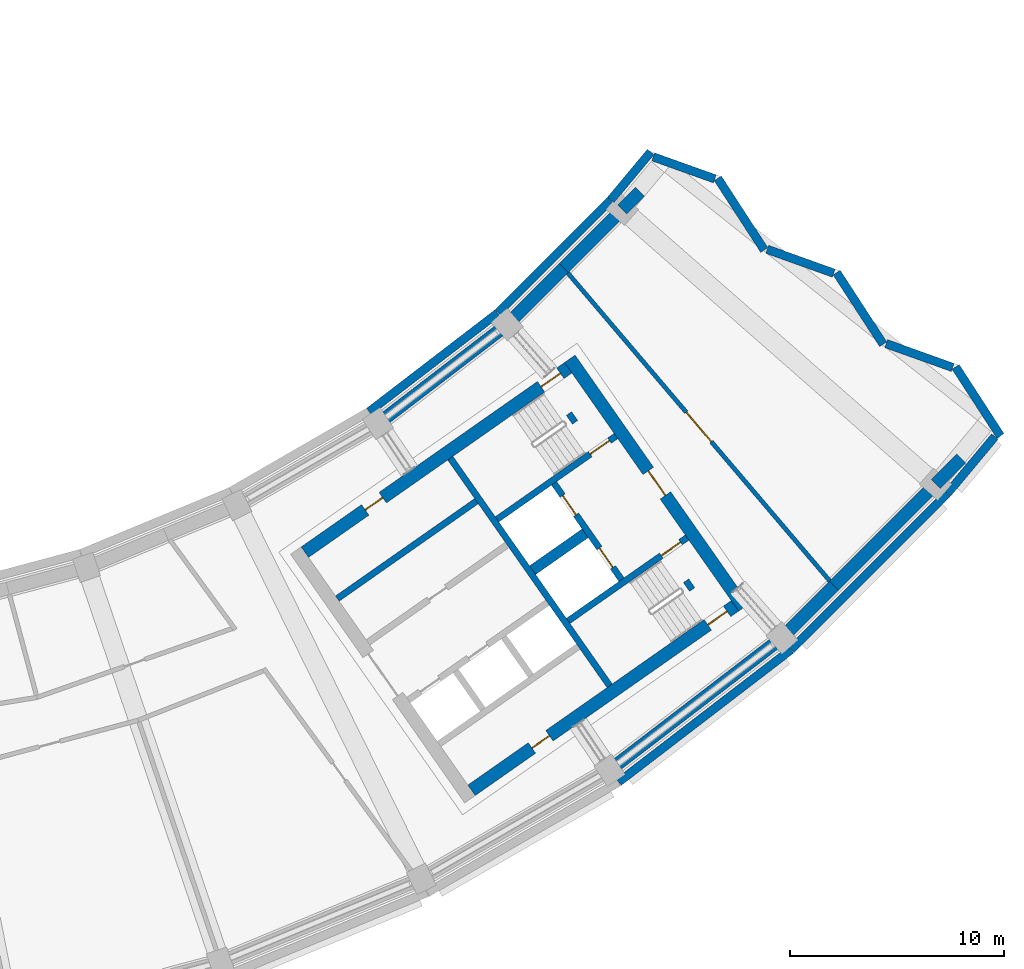
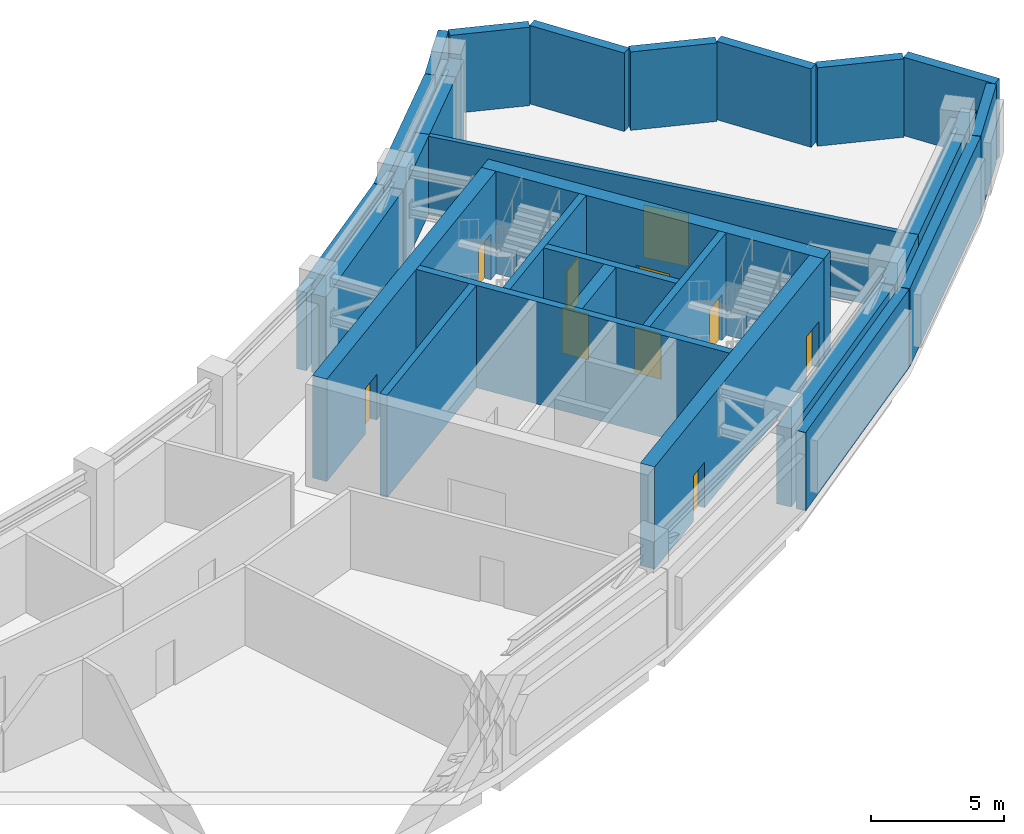
# One storey, part 8 of 24: 32 walls, 10 doors, 10 openings.
"""IFC4 building model written with IfcOpenShell, lengths in metres."""

from ifc_helpers import new_model, si_unit, direction, frame, frame_2d, origin, place, context, subcontext, project, spatial, rectangle, extrude, material, layer, layer_set, type_object, element, fill, save


model = new_model("IFC4")

# Units and contexts
model_context = context("Model", 3, precision=1e-05, world=origin(), true_north=direction((0.0, 1.0)))
body_context = subcontext(model_context, "Body", "Model", "MODEL_VIEW")
ifc_project = project(units=[si_unit("LENGTHUNIT", "METRE"), si_unit("AREAUNIT", "SQUARE_METRE"), si_unit("VOLUMEUNIT", "CUBIC_METRE"), si_unit("PLANEANGLEUNIT", "RADIAN"), si_unit("MASSUNIT", "GRAM", prefix="KILO")], contexts=[model_context])

# Site, building, storey
site_placement = place(None, origin())
site = spatial("IfcSite", under=ifc_project, at=site_placement, CompositionType="ELEMENT")
building_placement = place(site_placement, origin())
building = spatial("IfcBuilding", under=site, at=building_placement, Name="Qamariyya Broadcast Tower", CompositionType="ELEMENT")
storey_placement = place(building_placement, frame((0.0, 0.0, 253.10009765625)))
storey = spatial("IfcBuildingStorey", under=building, at=storey_placement, Name="L61", CompositionType="ELEMENT", Elevation=253.10009765625)

# Wall, opening, door
ifc_material_1 = material(Name="Concrete C60/75", Category="concrete")
ifc_layer_1 = layer(ifc_material_1, 0.60009765625)
ifc_layer_set_1 = layer_set([ifc_layer_1], Name="Core wall 600 mm Concrete C60/75")
wall_type_1 = type_object("IfcWallType", Name="Core wall 600 mm Concrete C60/75", PredefinedType="SHEAR", material=ifc_layer_set_1)
wall_1_placement = place(storey_placement, frame((49.4833984375, -57.031494140625, 0.0), z_axis=(0.0, 0.0, 1.0), x_axis=(-0.573560421458, 0.819163257805, 0.0)))
wall_1 = element("IfcWall", 1, at=wall_1_placement, inside=storey, type_object=wall_type_1, Name="k-E-L61-WH", PredefinedType="SHEAR", context=body_context, shape_type="SweptSolid", body=[
    extrude(rectangle(XDim=14.199951171875, YDim=0.60009765625, at=frame_2d((7.10009765625, 0.0))), origin(), (0.0, 0.0, 1.0), 4.699951171875),
])
opening_1_placement = place(wall_1_placement, frame((6.39990234375, 0.0, 0.0)))
opening_1 = element("IfcOpeningElement", 2, at=opening_1_placement, cuts=wall_1, Name="Opening KD2-E1", PredefinedType="OPENING", context=body_context, shape_type="SweptSolid", body=[
    extrude(rectangle(XDim=1.39990234375, YDim=2.10009765625, at=frame_2d((0.699951171875, 1.050048828125))), frame((0.0, 0.31005859375, 0.0), z_axis=(0.0, -1.0, 0.0), x_axis=(1.0, 0.0, 0.0)), (0.0, 0.0, 1.0), 0.6201171875),
])
ifc_material_2 = material(Name="Steel fire-resisting door leaf", Category="steel")
door_type_1 = type_object("IfcDoorType", Name="Fire-fighting lobby door KD2", OperationType="DOUBLE_DOOR_SINGLE_SWING", PredefinedType="DOOR", material=ifc_material_2)
door_1_placement = place(opening_1_placement, origin())
door_1 = element("IfcDoor", 3, at=door_1_placement, inside=storey, type_object=door_type_1, Name="k-E-L61-WH-D9", OperationType="DOUBLE_DOOR_SINGLE_SWING", OverallHeight=2.10009765625, OverallWidth=1.39990234375, PredefinedType="DOOR", context=body_context, shape_type="SweptSolid", body=[
    extrude(rectangle(XDim=1.39990234375, YDim=2.10009765625, at=frame_2d((0.699951171875, 1.050048828125))), frame((0.0, 0.02490234375, 0.0), z_axis=(0.0, -1.0, 0.0), x_axis=(1.0, 0.0, 0.0)), (0.0, 0.0, 1.0), 0.050048828125),
])
fill(opening_1, door_1)

# Wall, openings, doors
wall_2_placement = place(storey_placement, frame((28.940673828125, -54.447021484375, 0.0), z_axis=(0.0, 0.0, 1.0), x_axis=(0.819153391756, 0.573574511963, 0.0)))
wall_2 = element("IfcWall", 4, at=wall_2_placement, inside=storey, type_object=wall_type_1, Name="k-E-L61-WI", PredefinedType="SHEAR", context=body_context, shape_type="SweptSolid", body=[
    extrude(rectangle(XDim=15.04541015625, YDim=0.60009765625, at=frame_2d((7.522705078125, 0.0))), origin(), (0.0, 0.0, 1.0), 4.699951171875),
])
opening_2_placement = place(wall_2_placement, frame((3.449951171875, 0.0, 0.0)))
opening_2 = element("IfcOpeningElement", 5, at=opening_2_placement, cuts=wall_2, Name="Opening KD4-E2", PredefinedType="OPENING", context=body_context, shape_type="SweptSolid", body=[
    extrude(rectangle(XDim=1.0, YDim=2.10009765625, at=frame_2d((0.5, 1.050048828125))), frame((0.0, 0.31005859375, 0.0), z_axis=(0.0, -1.0, 0.0), x_axis=(1.0, 0.0, 0.0)), (0.0, 0.0, 1.0), 0.6201171875),
])
opening_3_placement = place(wall_2_placement, frame((13.495361328125, 0.0, 0.0)))
opening_3 = element("IfcOpeningElement", 6, at=opening_3_placement, cuts=wall_2, Name="Opening KD1-E1", PredefinedType="OPENING", context=body_context, shape_type="SweptSolid", body=[
    extrude(rectangle(XDim=1.10009765625, YDim=2.10009765625, at=frame_2d((0.550048828125, 1.050048828125))), frame((0.0, 0.31005859375, 0.0), z_axis=(0.0, -1.0, 0.0), x_axis=(1.0, 0.0, 0.0)), (0.0, 0.0, 1.0), 0.6201171875),
])
door_type_2 = type_object("IfcDoorType", Name="Riser and plant door KD4", OperationType="SINGLE_SWING_LEFT", PredefinedType="DOOR", material=ifc_material_2)
door_2_placement = place(opening_2_placement, origin())
door_2 = element("IfcDoor", 7, at=door_2_placement, inside=storey, type_object=door_type_2, Name="k-E-L61-WI-D5", OperationType="SINGLE_SWING_LEFT", OverallHeight=2.10009765625, OverallWidth=1.0, PredefinedType="DOOR", context=body_context, shape_type="SweptSolid", body=[
    extrude(rectangle(XDim=1.0, YDim=2.10009765625, at=frame_2d((0.5, 1.050048828125))), frame((0.0, 0.02490234375, 0.0), z_axis=(0.0, -1.0, 0.0), x_axis=(1.0, 0.0, 0.0)), (0.0, 0.0, 1.0), 0.050048828125),
])
fill(opening_2, door_2)
door_type_3 = type_object("IfcDoorType", Name="Stair door KD1", OperationType="SINGLE_SWING_LEFT", PredefinedType="DOOR", material=ifc_material_2)
door_3_placement = place(opening_3_placement, origin())
door_3 = element("IfcDoor", 8, at=door_3_placement, inside=storey, type_object=door_type_3, Name="k-E-L61-WI-D10", OperationType="SINGLE_SWING_RIGHT", OverallHeight=2.10009765625, OverallWidth=1.10009765625, PredefinedType="DOOR", context=body_context, shape_type="SweptSolid", body=[
    extrude(rectangle(XDim=1.10009765625, YDim=2.10009765625, at=frame_2d((0.550048828125, 1.050048828125))), frame((0.0, 0.02490234375, 0.0), z_axis=(0.0, -1.0, 0.0), x_axis=(1.0, 0.0, 0.0)), (0.0, 0.0, 1.0), 0.050048828125),
])
fill(opening_3, door_3)

wall_3_placement = place(storey_placement, frame((36.7412109375, -65.58740234375, 0.0), z_axis=(0.0, 0.0, 1.0), x_axis=(0.819153391756, 0.573574511963, 0.0)))
wall_3 = element("IfcWall", 9, at=wall_3_placement, inside=storey, type_object=wall_type_1, Name="k-E-L61-WO", PredefinedType="SHEAR", context=body_context, shape_type="SweptSolid", body=[
    extrude(rectangle(XDim=15.04541015625, YDim=0.60009765625, at=frame_2d((7.522705078125, 0.0))), origin(), (0.0, 0.0, 1.0), 4.699951171875),
])
opening_4_placement = place(wall_3_placement, frame((3.449951171875, 0.0, 0.0)))
opening_4 = element("IfcOpeningElement", 10, at=opening_4_placement, cuts=wall_3, Name="Opening KD4-E3", PredefinedType="OPENING", context=body_context, shape_type="SweptSolid", body=[
    extrude(rectangle(XDim=1.0, YDim=2.10009765625, at=frame_2d((0.5, 1.050048828125))), frame((0.0, 0.31005859375, 0.0), z_axis=(0.0, -1.0, 0.0), x_axis=(1.0, 0.0, 0.0)), (0.0, 0.0, 1.0), 0.6201171875),
])
opening_5_placement = place(wall_3_placement, frame((13.495361328125, 0.0, 0.0)))
opening_5 = element("IfcOpeningElement", 11, at=opening_5_placement, cuts=wall_3, Name="Opening KD1-E3", PredefinedType="OPENING", context=body_context, shape_type="SweptSolid", body=[
    extrude(rectangle(XDim=1.10009765625, YDim=2.10009765625, at=frame_2d((0.550048828125, 1.050048828125))), frame((0.0, 0.31005859375, 0.0), z_axis=(0.0, -1.0, 0.0), x_axis=(1.0, 0.0, 0.0)), (0.0, 0.0, 1.0), 0.6201171875),
])
door_4_placement = place(opening_4_placement, origin())
door_4 = element("IfcDoor", 12, at=door_4_placement, inside=storey, type_object=door_type_2, Name="k-E-L61-WO-D6", OperationType="SINGLE_SWING_RIGHT", OverallHeight=2.10009765625, OverallWidth=1.0, PredefinedType="DOOR", context=body_context, shape_type="SweptSolid", body=[
    extrude(rectangle(XDim=1.0, YDim=2.10009765625, at=frame_2d((0.5, 1.050048828125))), frame((0.0, 0.02490234375, 0.0), z_axis=(0.0, -1.0, 0.0), x_axis=(1.0, 0.0, 0.0)), (0.0, 0.0, 1.0), 0.050048828125),
])
fill(opening_4, door_4)
door_5_placement = place(opening_5_placement, origin())
door_5 = element("IfcDoor", 13, at=door_5_placement, inside=storey, type_object=door_type_3, Name="k-E-L61-WO-D12", OperationType="SINGLE_SWING_LEFT", OverallHeight=2.10009765625, OverallWidth=1.10009765625, PredefinedType="DOOR", context=body_context, shape_type="SweptSolid", body=[
    extrude(rectangle(XDim=1.10009765625, YDim=2.10009765625, at=frame_2d((0.550048828125, 1.050048828125))), frame((0.0, 0.02490234375, 0.0), z_axis=(0.0, -1.0, 0.0), x_axis=(1.0, 0.0, 0.0)), (0.0, 0.0, 1.0), 0.050048828125),
])
fill(opening_5, door_5)

# Walls
ifc_layer_2 = layer(ifc_material_1, 0.5)
ifc_layer_set_2 = layer_set([ifc_layer_2], Name="Fire-fighting lobby divider wall 500 mm Concrete C60/75")
wall_type_2 = type_object("IfcWallType", Name="Fire-fighting lobby divider wall 500 mm Concrete C60/75", PredefinedType="SOLIDWALL", material=ifc_layer_set_2)
wall_4_placement = place(storey_placement, frame((39.59912109375, -55.28515625, 0.0), z_axis=(0.0, 0.0, 1.0), x_axis=(0.819136323161, 0.573598887793, 0.0)))
element("IfcWall", 14, at=wall_4_placement, inside=storey, type_object=wall_type_2, Name="k-E-L61-FD", PredefinedType="SOLIDWALL", context=body_context, shape_type="SweptSolid", body=[
    extrude(rectangle(XDim=2.999755859375, YDim=0.5, at=frame_2d((1.5, 0.0))), origin(), (0.0, 0.0, 1.0), 4.699951171875),
])
ifc_layer_3 = layer(ifc_material_1, 0.300048828125)
ifc_layer_set_3 = layer_set([ifc_layer_3], Name="Lift shaft wall 300 mm Concrete C60/75")
wall_type_3 = type_object("IfcWallType", Name="Lift shaft wall 300 mm Concrete C60/75", PredefinedType="SOLIDWALL", material=ifc_layer_set_3)
wall_5_placement = place(storey_placement, frame((43.204345703125, -60.69580078125, 0.0), z_axis=(0.0, 0.0, 1.0), x_axis=(-0.573571992966, 0.819155155563, 0.0)))
element("IfcWall", 15, at=wall_5_placement, inside=storey, type_object=wall_type_3, Name="k-E-L61-WL", PredefinedType="SOLIDWALL", context=body_context, shape_type="SweptSolid", body=[
    extrude(rectangle(XDim=13.000244140625, YDim=0.300048828125, at=frame_2d((6.5, 0.0))), origin(), (0.0, 0.0, 1.0), 4.699951171875),
])
wall_6_placement = place(storey_placement, frame((30.460693359375, -56.61767578125, 0.0), z_axis=(0.0, 0.0, 1.0), x_axis=(0.819142461705, 0.573590121456, 0.0)))
element("IfcWall", 16, at=wall_6_placement, inside=storey, type_object=wall_type_3, Name="k-E-L61-NB0", PredefinedType="SOLIDWALL", context=body_context, shape_type="SweptSolid", body=[
    extrude(rectangle(XDim=7.949951171875, YDim=0.300048828125, at=frame_2d((3.97509765625, 0.0))), origin(), (0.0, 0.0, 1.0), 4.699951171875),
])

# Wall, opening, door
wall_7_placement = place(storey_placement, frame((37.935546875, -52.90966796875, 0.0), z_axis=(0.0, 0.0, 1.0), x_axis=(0.819147518138, 0.57358290031, 0.0)))
wall_7 = element("IfcWall", 17, at=wall_7_placement, inside=storey, type_object=wall_type_3, Name="k-E-L61-NW", PredefinedType="SOLIDWALL", context=body_context, shape_type="SweptSolid", body=[
    extrude(rectangle(XDim=6.79541015625, YDim=0.300048828125, at=frame_2d((3.397705078125, 0.0))), origin(), (0.0, 0.0, 1.0), 4.699951171875),
])
opening_6_placement = place(wall_7_placement, frame((5.3203125, 0.0, 0.0)))
opening_6 = element("IfcOpeningElement", 18, at=opening_6_placement, cuts=wall_7, Name="Opening KD1-E2", PredefinedType="OPENING", context=body_context, shape_type="SweptSolid", body=[
    extrude(rectangle(XDim=1.10009765625, YDim=2.10009765625, at=frame_2d((0.550048828125, 1.050048828125))), frame((0.0, 0.159912109375, 0.0), z_axis=(0.0, -1.0, 0.0), x_axis=(1.0, 0.0, 0.0)), (0.0, 0.0, 1.0), 0.320068359375),
])
door_6_placement = place(opening_6_placement, origin())
door_6 = element("IfcDoor", 19, at=door_6_placement, inside=storey, type_object=door_type_3, Name="k-E-L61-NW-D11", OperationType="SINGLE_SWING_LEFT", OverallHeight=2.10009765625, OverallWidth=1.10009765625, PredefinedType="DOOR", context=body_context, shape_type="SweptSolid", body=[
    extrude(rectangle(XDim=1.10009765625, YDim=2.10009765625, at=frame_2d((0.550048828125, 1.050048828125))), frame((0.0, 0.02490234375, 0.0), z_axis=(0.0, -1.0, 0.0), x_axis=(1.0, 0.0, 0.0)), (0.0, 0.0, 1.0), 0.050048828125),
])
fill(opening_6, door_6)

wall_8_placement = place(storey_placement, frame((41.262451171875, -57.66064453125, 0.0), z_axis=(0.0, 0.0, 1.0), x_axis=(0.819164398642, 0.573558792102, 0.0)))
wall_8 = element("IfcWall", 20, at=wall_8_placement, inside=storey, type_object=wall_type_3, Name="k-E-L61-SW", PredefinedType="SOLIDWALL", context=body_context, shape_type="SweptSolid", body=[
    extrude(rectangle(XDim=6.795166015625, YDim=0.300048828125, at=frame_2d((3.3974609375, 0.0))), origin(), (0.0, 0.0, 1.0), 4.699951171875),
])
opening_7_placement = place(wall_8_placement, frame((5.3203125, 0.0, 0.0)))
opening_7 = element("IfcOpeningElement", 21, at=opening_7_placement, cuts=wall_8, Name="Opening KD1-E4", PredefinedType="OPENING", context=body_context, shape_type="SweptSolid", body=[
    extrude(rectangle(XDim=1.10009765625, YDim=2.10009765625, at=frame_2d((0.550048828125, 1.050048828125))), frame((0.0, 0.159912109375, 0.0), z_axis=(0.0, -1.0, 0.0), x_axis=(1.0, 0.0, 0.0)), (0.0, 0.0, 1.0), 0.320068359375),
])
door_7_placement = place(opening_7_placement, origin())
door_7 = element("IfcDoor", 22, at=door_7_placement, inside=storey, type_object=door_type_3, Name="k-E-L61-SW-D13", OperationType="SINGLE_SWING_LEFT", OverallHeight=2.10009765625, OverallWidth=1.10009765625, PredefinedType="DOOR", context=body_context, shape_type="SweptSolid", body=[
    extrude(rectangle(XDim=1.10009765625, YDim=2.10009765625, at=frame_2d((0.550048828125, 1.050048828125))), frame((0.0, 0.02490234375, 0.0), z_axis=(0.0, -1.0, 0.0), x_axis=(1.0, 0.0, 0.0)), (0.0, 0.0, 1.0), 0.050048828125),
])
fill(opening_7, door_7)

# Wall, openings, doors
wall_9_placement = place(storey_placement, frame((43.756591796875, -55.731201171875, 0.0), z_axis=(0.0, 0.0, 1.0), x_axis=(-0.573536818435, 0.819179783625, 0.0)))
wall_9 = element("IfcWall", 23, at=wall_9_placement, inside=storey, type_object=wall_type_3, Name="k-E-L61-FF", PredefinedType="SOLIDWALL", context=body_context, shape_type="SweptSolid", body=[
    extrude(rectangle(XDim=5.500244140625, YDim=0.300048828125, at=frame_2d((2.75, 0.0))), origin(), (0.0, 0.0, 1.0), 4.699951171875),
])
opening_8_placement = place(wall_9_placement, frame((0.699951171875, 0.0, 0.0)))
opening_8 = element("IfcOpeningElement", 24, at=opening_8_placement, cuts=wall_9, Name="Opening LD", PredefinedType="OPENING", context=body_context, shape_type="SweptSolid", body=[
    extrude(rectangle(XDim=1.10009765625, YDim=2.10009765625, at=frame_2d((0.550048828125, 1.050048828125))), frame((0.0, 0.159912109375, 0.0), z_axis=(0.0, -1.0, 0.0), x_axis=(1.0, 0.0, 0.0)), (0.0, 0.0, 1.0), 0.320068359375),
])
opening_9_placement = place(wall_9_placement, frame((3.699951171875, 0.0, 0.0)))
opening_9 = element("IfcOpeningElement", 25, at=opening_9_placement, cuts=wall_9, Name="Opening LD", PredefinedType="OPENING", context=body_context, shape_type="SweptSolid", body=[
    extrude(rectangle(XDim=1.10009765625, YDim=2.10009765625, at=frame_2d((0.550048828125, 1.050048828125))), frame((0.0, 0.159912109375, 0.0), z_axis=(0.0, -1.0, 0.0), x_axis=(1.0, 0.0, 0.0)), (0.0, 0.0, 1.0), 0.320068359375),
])
door_type_4 = type_object("IfcDoorType", Name="Lift landing door LD", OperationType="DOUBLE_DOOR_SLIDING", PredefinedType="DOOR", material=ifc_material_2)
door_8_placement = place(opening_8_placement, origin())
door_8 = element("IfcDoor", 26, at=door_8_placement, inside=storey, type_object=door_type_4, Name="k-E-L61-FF-D7", OperationType="DOUBLE_DOOR_SLIDING", OverallHeight=2.10009765625, OverallWidth=1.10009765625, PredefinedType="DOOR", context=body_context, shape_type="SweptSolid", body=[
    extrude(rectangle(XDim=1.10009765625, YDim=2.10009765625, at=frame_2d((0.550048828125, 1.050048828125))), frame((0.0, 0.02490234375, 0.0), z_axis=(0.0, -1.0, 0.0), x_axis=(1.0, 0.0, 0.0)), (0.0, 0.0, 1.0), 0.050048828125),
])
fill(opening_8, door_8)
door_9_placement = place(opening_9_placement, origin())
door_9 = element("IfcDoor", 27, at=door_9_placement, inside=storey, type_object=door_type_4, Name="k-E-L61-FF-D8", OperationType="DOUBLE_DOOR_SLIDING", OverallHeight=2.10009765625, OverallWidth=1.10009765625, PredefinedType="DOOR", context=body_context, shape_type="SweptSolid", body=[
    extrude(rectangle(XDim=1.10009765625, YDim=2.10009765625, at=frame_2d((0.550048828125, 1.050048828125))), frame((0.0, 0.02490234375, 0.0), z_axis=(0.0, -1.0, 0.0), x_axis=(1.0, 0.0, 0.0)), (0.0, 0.0, 1.0), 0.050048828125),
])
fill(opening_9, door_9)

# Walls
wall_10_placement = place(storey_placement, frame((41.30029296875, -47.959716796875, 0.0), z_axis=(0.0, 0.0, 1.0), x_axis=(0.573495128918, -0.819208970354, 0.0)))
element("IfcWall", 28, at=wall_10_placement, inside=storey, type_object=wall_type_3, Name="k-E-L61-E2PR", PredefinedType="SOLIDWALL", context=body_context, shape_type="SweptSolid", body=[
    extrude(rectangle(XDim=0.499755859375, YDim=0.300048828125, at=frame_2d((0.25, 0.0))), origin(), (0.0, 0.0, 1.0), 2.2998046875),
])
wall_11_placement = place(storey_placement, frame((46.77783203125, -55.782470703125, 0.0), z_axis=(0.0, 0.0, 1.0), x_axis=(0.573822822947, -0.818979467304, 0.0)))
element("IfcWall", 29, at=wall_11_placement, inside=storey, type_object=wall_type_3, Name="k-E-L61-E1PR", PredefinedType="SOLIDWALL", context=body_context, shape_type="SweptSolid", body=[
    extrude(rectangle(XDim=0.5, YDim=0.300048828125, at=frame_2d((0.25, 0.0))), origin(), (0.0, 0.0, 1.0), 2.2998046875),
])

# Wall, opening, door
ifc_material_3 = material(Name="Masonry block wall", Category="masonry")
ifc_layer_4 = layer(ifc_material_3, 0.199951171875)
ifc_layer_set_4 = layer_set([ifc_layer_4], Name="Plant room wall 200 EI 120")
wall_type_4 = type_object("IfcWallType", Name="Plant room wall 200 EI 120", PredefinedType="PARTITIONING", material=ifc_layer_set_4)
wall_12_placement = place(storey_placement, frame((41.243896484375, -41.380615234375, 0.0), z_axis=(0.0, 0.0, 1.0), x_axis=(0.647960358765, -0.761674059864, 0.0)))
wall_12 = element("IfcWall", 30, at=wall_12_placement, inside=storey, type_object=wall_type_4, Name="Partition L61-062", PredefinedType="PARTITIONING", context=body_context, shape_type="SweptSolid", body=[
    extrude(rectangle(XDim=18.92138671875, YDim=0.199951171875, at=frame_2d((9.460693359375, 0.0))), origin(), (0.0, 0.0, 1.0), 3.599853515625),
])
opening_10_placement = place(wall_12_placement, frame((8.560791015625, 0.0, 0.0)))
opening_10 = element("IfcOpeningElement", 31, at=opening_10_placement, cuts=wall_12, Name="Opening L61-D14", PredefinedType="OPENING", context=body_context, shape_type="SweptSolid", body=[
    extrude(rectangle(XDim=1.800048828125, YDim=2.39990234375, at=frame_2d((0.89990234375, 1.199951171875))), frame((0.0, 0.10986328125, 0.0), z_axis=(0.0, -1.0, 0.0), x_axis=(1.0, 0.0, 0.0)), (0.0, 0.0, 1.0), 0.219970703125),
])
ifc_material_4 = material(Name="Insulated metal door leaf")
door_type_5 = type_object("IfcDoorType", Name="Plant double door 1800 x 2400 FD120", OperationType="NOTDEFINED", PredefinedType="DOOR", material=ifc_material_4)
door_10_placement = place(opening_10_placement, origin())
door_10 = element("IfcDoor", 32, at=door_10_placement, inside=storey, type_object=door_type_5, Name="Door L61-D14", OperationType="DOUBLE_DOOR_SINGLE_SWING", OverallHeight=2.39990234375, OverallWidth=1.800048828125, PredefinedType="DOOR", context=body_context, shape_type="SweptSolid", body=[
    extrude(rectangle(XDim=1.800048828125, YDim=2.39990234375, at=frame_2d((0.89990234375, 1.199951171875))), frame((0.0, 0.02490234375, 0.0), z_axis=(0.0, -1.0, 0.0), x_axis=(1.0, 0.0, 0.0)), (0.0, 0.0, 1.0), 0.050048828125),
])
fill(opening_10, door_10)

# Walls
ifc_material_5 = material(Name="Terracotta", Category="masonry")
ifc_layer_5 = layer(ifc_material_5, 0.39990234375)
ifc_layer_set_5 = layer_set([ifc_layer_5], Name="Terracotta clad plant wall 400")
wall_type_5 = type_object("IfcWallType", Name="Terracotta clad plant wall 400", PredefinedType="SOLIDWALL", material=ifc_layer_set_5)
wall_13_placement = place(storey_placement, frame((61.48681640625, -49.00537109375, 0.0), z_axis=(0.0, 0.0, 1.0), x_axis=(-0.54407895318, 0.839034023569, 0.0)))
element("IfcWall", 33, at=wall_13_placement, inside=storey, type_object=wall_type_5, Name="e-wl-L61-capE0", PredefinedType="SOLIDWALL", context=body_context, shape_type="SweptSolid", body=[
    extrude(rectangle(XDim=3.851318359375, YDim=0.39990234375, at=frame_2d((1.92578125, 0.0))), origin(), (0.0, 0.0, 1.0), 3.599853515625),
])
wall_14_placement = place(storey_placement, frame((59.2529296875, -45.8017578125, 0.0), z_axis=(0.0, 0.0, 1.0), x_axis=(-0.941574689973, 0.336804250571, 0.0)))
element("IfcWall", 34, at=wall_14_placement, inside=storey, type_object=wall_type_5, Name="e-wl-L61-capE1", PredefinedType="SOLIDWALL", context=body_context, shape_type="SweptSolid", body=[
    extrude(rectangle(XDim=3.305419921875, YDim=0.39990234375, at=frame_2d((1.65283203125, 0.0))), origin(), (0.0, 0.0, 1.0), 3.599853515625),
])
wall_15_placement = place(storey_placement, frame((56.002197265625, -44.716064453125, 0.0), z_axis=(0.0, 0.0, 1.0), x_axis=(-0.544198076362, 0.838956765086, 0.0)))
element("IfcWall", 35, at=wall_15_placement, inside=storey, type_object=wall_type_5, Name="e-wl-L61-capE2", PredefinedType="SOLIDWALL", context=body_context, shape_type="SweptSolid", body=[
    extrude(rectangle(XDim=3.997314453125, YDim=0.39990234375, at=frame_2d((1.99853515625, 0.0))), origin(), (0.0, 0.0, 1.0), 3.599853515625),
])
wall_16_placement = place(storey_placement, frame((53.6884765625, -41.390380859375, 0.0), z_axis=(0.0, 0.0, 1.0), x_axis=(-0.94159640431, 0.336743539494, 0.0)))
element("IfcWall", 36, at=wall_16_placement, inside=storey, type_object=wall_type_5, Name="e-wl-L61-capE3", PredefinedType="SOLIDWALL", context=body_context, shape_type="SweptSolid", body=[
    extrude(rectangle(XDim=3.3046875, YDim=0.39990234375, at=frame_2d((1.65234375, 0.0))), origin(), (0.0, 0.0, 1.0), 3.599853515625),
])
wall_17_placement = place(storey_placement, frame((50.4384765625, -40.305419921875, 0.0), z_axis=(0.0, 0.0, 1.0), x_axis=(-0.544258469642, 0.838917587265, 0.0)))
element("IfcWall", 37, at=wall_17_placement, inside=storey, type_object=wall_type_5, Name="e-wl-L61-capE4", PredefinedType="SOLIDWALL", context=body_context, shape_type="SweptSolid", body=[
    extrude(rectangle(XDim=3.99853515625, YDim=0.39990234375, at=frame_2d((1.999267578125, 0.0))), origin(), (0.0, 0.0, 1.0), 3.599853515625),
])
wall_18_placement = place(storey_placement, frame((48.123779296875, -36.978759765625, 0.0), z_axis=(0.0, 0.0, 1.0), x_axis=(-0.941635407731, 0.336634458883, 0.0)))
element("IfcWall", 38, at=wall_18_placement, inside=storey, type_object=wall_type_5, Name="e-wl-L61-capE5", PredefinedType="SOLIDWALL", context=body_context, shape_type="SweptSolid", body=[
    extrude(rectangle(XDim=3.061279296875, YDim=0.39990234375, at=frame_2d((1.53076171875, 0.0))), origin(), (0.0, 0.0, 1.0), 3.599853515625),
])
wall_19_placement = place(storey_placement, frame((37.965576171875, -43.25341796875, 0.0), z_axis=(0.0, 0.0, 1.0), x_axis=(-0.793356365089, -0.608757486995, 0.0)))
element("IfcWall", 39, at=wall_19_placement, inside=storey, type_object=wall_type_5, Name="e-wl-L61-in130", PredefinedType="SOLIDWALL", context=body_context, shape_type="SweptSolid", body=[
    extrude(rectangle(XDim=7.578125, YDim=0.39990234375, at=frame_2d((3.7890625, 0.0))), origin(), (0.0, 0.0, 1.0), 3.599853515625),
])
wall_20_placement = place(storey_placement, frame((43.239013671875, -37.975341796875, 0.0), z_axis=(0.0, 0.0, 1.0), x_axis=(-0.707106781187, -0.707106781187, 0.0)))
element("IfcWall", 40, at=wall_20_placement, inside=storey, type_object=wall_type_5, Name="e-wl-L61-in140", PredefinedType="SOLIDWALL", context=body_context, shape_type="SweptSolid", body=[
    extrude(rectangle(XDim=7.435302734375, YDim=0.39990234375, at=frame_2d((3.7177734375, 0.0))), origin(), (0.0, 0.0, 1.0), 3.599853515625),
])
wall_21_placement = place(storey_placement, frame((45.123046875, -35.721435546875, 0.0), z_axis=(0.0, 0.0, 1.0), x_axis=(-0.64047220124, -0.767981353575, 0.0)))
element("IfcWall", 41, at=wall_21_placement, inside=storey, type_object=wall_type_5, Name="e-wl-L61-in150", PredefinedType="SOLIDWALL", context=body_context, shape_type="SweptSolid", body=[
    extrude(rectangle(XDim=2.919921875, YDim=0.39990234375, at=frame_2d((1.4599609375, 0.0))), origin(), (0.0, 0.0, 1.0), 3.599853515625),
])
wall_22_placement = place(storey_placement, frame((43.62451171875, -65.197509765625, 0.0), z_axis=(0.0, 0.0, 1.0), x_axis=(0.793354127537, 0.608760403048, 0.0)))
element("IfcWall", 42, at=wall_22_placement, inside=storey, type_object=wall_type_5, Name="e-wl-L61-out130", PredefinedType="SOLIDWALL", context=body_context, shape_type="SweptSolid", body=[
    extrude(rectangle(XDim=10.16015625, YDim=0.39990234375, at=frame_2d((5.080078125, 0.0))), origin(), (0.0, 0.0, 1.0), 3.599853515625),
])
wall_23_placement = place(storey_placement, frame((51.707763671875, -58.999267578125, 0.0), z_axis=(0.0, 0.0, 1.0), x_axis=(0.707094942107, 0.707118620068, 0.0)))
element("IfcWall", 43, at=wall_23_placement, inside=storey, type_object=wall_type_5, Name="e-wl-L61-out140", PredefinedType="SOLIDWALL", context=body_context, shape_type="SweptSolid", body=[
    extrude(rectangle(XDim=10.310791015625, YDim=0.39990234375, at=frame_2d((5.1552734375, 0.0))), origin(), (0.0, 0.0, 1.0), 3.599853515625),
])
wall_24_placement = place(storey_placement, frame((59.008544921875, -51.693359375, 0.0), z_axis=(0.0, 0.0, 1.0), x_axis=(0.640531267618, 0.76793209023, 0.0)))
element("IfcWall", 44, at=wall_24_placement, inside=storey, type_object=wall_type_5, Name="e-wl-L61-out150", PredefinedType="SOLIDWALL", context=body_context, shape_type="SweptSolid", body=[
    extrude(rectangle(XDim=3.4609375, YDim=0.39990234375, at=frame_2d((1.73046875, 0.0))), origin(), (0.0, 0.0, 1.0), 3.599853515625),
])
ifc_layer_6 = layer(ifc_material_3, 0.60009765625)
ifc_layer_set_6 = layer_set([ifc_layer_6], Name="Truss casing wall 600 EI 120")
wall_type_6 = type_object("IfcWallType", Name="Truss casing wall 600 EI 120", PredefinedType="PARTITIONING", material=ifc_layer_set_6)
wall_25_placement = place(storey_placement, frame((32.3798828125, -48.419189453125, 0.0), z_axis=(0.0, 0.0, 1.0), x_axis=(0.793356751967, 0.6087569828, 0.0)))
element("IfcWall", 45, at=wall_25_placement, inside=storey, type_object=wall_type_6, Name="Partition L61-058", PredefinedType="PARTITIONING", context=body_context, shape_type="SweptSolid", body=[
    extrude(rectangle(XDim=7.57421875, YDim=0.60009765625, at=frame_2d((3.787109375, 0.0))), origin(), (0.0, 0.0, 1.0), 3.599853515625),
])
wall_26_placement = place(storey_placement, frame((38.4228515625, -43.778564453125, 0.0), z_axis=(0.0, 0.0, 1.0), x_axis=(0.707139643126, 0.70707391772, 0.0)))
element("IfcWall", 46, at=wall_26_placement, inside=storey, type_object=wall_type_6, Name="Partition L61-060", PredefinedType="PARTITIONING", context=body_context, shape_type="SweptSolid", body=[
    extrude(rectangle(XDim=3.714599609375, YDim=0.60009765625, at=frame_2d((1.857421875, 0.0))), origin(), (0.0, 0.0, 1.0), 3.599853515625),
])
wall_27_placement = place(storey_placement, frame((41.049560546875, -41.152099609375, 0.0), z_axis=(0.0, 0.0, 1.0), x_axis=(0.70707531296, 0.707138248013, 0.0)))
element("IfcWall", 47, at=wall_27_placement, inside=storey, type_object=wall_type_6, Name="Partition L61-061", PredefinedType="PARTITIONING", context=body_context, shape_type="SweptSolid", body=[
    extrude(rectangle(XDim=3.879150390625, YDim=0.60009765625, at=frame_2d((1.939453125, 0.0))), origin(), (0.0, 0.0, 1.0), 3.599853515625),
])
wall_28_placement = place(storey_placement, frame((43.213623046875, -64.633056640625, 0.0), z_axis=(0.0, 0.0, 1.0), x_axis=(0.793339659144, 0.608779258212, 0.0)))
element("IfcWall", 48, at=wall_28_placement, inside=storey, type_object=wall_type_6, Name="Partition L61-063", PredefinedType="PARTITIONING", context=body_context, shape_type="SweptSolid", body=[
    extrude(rectangle(XDim=10.125, YDim=0.60009765625, at=frame_2d((5.0625, 0.0))), origin(), (0.0, 0.0, 1.0), 3.599853515625),
])
wall_29_placement = place(storey_placement, frame((43.796875, -38.40478515625, 0.0), z_axis=(0.0, 0.0, 1.0), x_axis=(0.70700240348, 0.707211143487, 0.0)))
element("IfcWall", 49, at=wall_29_placement, inside=storey, type_object=wall_type_6, Name="Partition L61-064", PredefinedType="PARTITIONING", context=body_context, shape_type="SweptSolid", body=[
    extrude(rectangle(XDim=1.169677734375, YDim=0.60009765625, at=frame_2d((0.5849609375, 0.0))), origin(), (0.0, 0.0, 1.0), 3.599853515625),
])
wall_30_placement = place(storey_placement, frame((51.2802734375, -58.439453125, 0.0), z_axis=(0.0, 0.0, 1.0), x_axis=(0.707106781187, 0.707106781187, 0.0)))
element("IfcWall", 50, at=wall_30_placement, inside=storey, type_object=wall_type_6, Name="Partition L61-065", PredefinedType="PARTITIONING", context=body_context, shape_type="SweptSolid", body=[
    extrude(rectangle(XDim=3.420166015625, YDim=0.60009765625, at=frame_2d((1.7099609375, 0.0))), origin(), (0.0, 0.0, 1.0), 3.599853515625),
])
wall_31_placement = place(storey_placement, frame((53.69873046875, -56.02099609375, 0.0), z_axis=(0.0, 0.0, 1.0), x_axis=(0.707106781187, 0.707106781187, 0.0)))
element("IfcWall", 51, at=wall_31_placement, inside=storey, type_object=wall_type_6, Name="Partition L61-066", PredefinedType="PARTITIONING", context=body_context, shape_type="SweptSolid", body=[
    extrude(rectangle(XDim=6.72412109375, YDim=0.60009765625, at=frame_2d((3.362060546875, 0.0))), origin(), (0.0, 0.0, 1.0), 3.599853515625),
])
wall_32_placement = place(storey_placement, frame((58.457763671875, -51.261962890625, 0.0), z_axis=(0.0, 0.0, 1.0), x_axis=(0.707106781187, 0.707106781187, 0.0)))
element("IfcWall", 52, at=wall_32_placement, inside=storey, type_object=wall_type_6, Name="Partition L61-067", PredefinedType="PARTITIONING", context=body_context, shape_type="SweptSolid", body=[
    extrude(rectangle(XDim=1.686279296875, YDim=0.60009765625, at=frame_2d((0.84326171875, 0.0))), origin(), (0.0, 0.0, 1.0), 3.599853515625),
])

save(model, "model.ifc")
